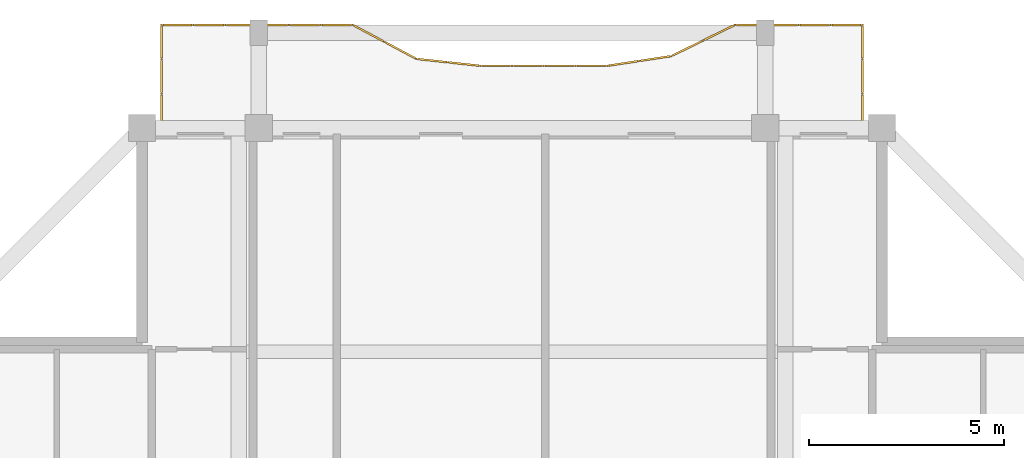
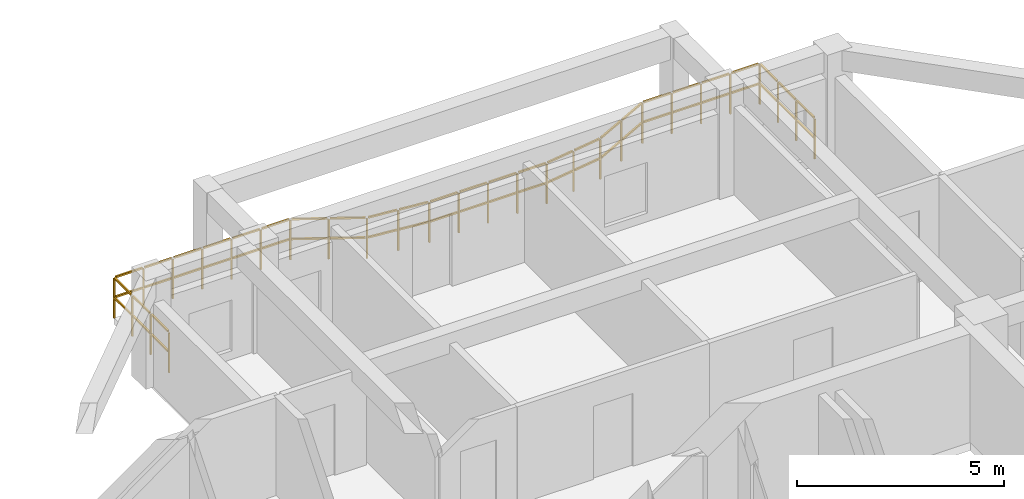
# One storey, part 11 of 11: 1 railing.
"""IFC4 building model written with IfcOpenShell, lengths in metres."""

from ifc_helpers import new_model, si_unit, direction, frame, origin, origin_2d, place, context, subcontext, project, spatial, rectangle, extrude, material, type_object, element, save


model = new_model("IFC4")

# Units and contexts
model_context = context("Model", 3, precision=1e-05, world=origin(), true_north=direction((0.0, 1.0)))
body_context = subcontext(model_context, "Body", "Model", "MODEL_VIEW")
ifc_project = project(units=[si_unit("LENGTHUNIT", "METRE"), si_unit("AREAUNIT", "SQUARE_METRE"), si_unit("VOLUMEUNIT", "CUBIC_METRE"), si_unit("PLANEANGLEUNIT", "RADIAN"), si_unit("MASSUNIT", "GRAM", prefix="KILO")], contexts=[model_context])

# Site, building, storey
site_placement = place(None, origin())
site = spatial("IfcSite", under=ifc_project, at=site_placement, CompositionType="ELEMENT")
building_placement = place(site_placement, origin())
building = spatial("IfcBuilding", under=site, at=building_placement, Name="Saelheon Loggia Tower", CompositionType="ELEMENT")
storey_placement = place(building_placement, frame((0.0, 0.0, 249.0)))
storey = spatial("IfcBuildingStorey", under=building, at=storey_placement, Name="L77", CompositionType="ELEMENT", Elevation=249.0)

# Railing
ifc_material = material(Name="Architectural Precast Concrete and Laminated Glass Guard", Category="concrete")
railing_type = type_object("IfcRailingType", Name="Guard_Loggia_RL_LOG", PredefinedType="BALUSTRADE", material=ifc_material)
railing_placement = place(storey_placement, frame((47.0, 48.0, 0.0)))
element("IfcRailing", 1, at=railing_placement, inside=storey, type_object=railing_type, Name="L77 North Loggia Balustrade", PredefinedType="BALUSTRADE", context=body_context, shape_type="SweptSolid", body=[
    extrude(rectangle(XDim=0.048095703125, YDim=0.048095703125, at=origin_2d()), frame((0.0, 0.033203125, 1.19580078125), z_axis=(0.0, 1.0, 0.0), x_axis=(-1.0, 0.0, 0.0)), (0.0, 0.0, 1.0), 0.81689453125),
    extrude(rectangle(XDim=0.048095703125, YDim=0.048095703125, at=origin_2d()), frame((0.0, 0.033203125, 0.60986328125), z_axis=(0.0, 1.0, 0.0), x_axis=(-1.0, 0.0, 0.0)), (0.0, 0.0, 1.0), 0.81689453125),
    extrude(rectangle(XDim=0.048095703125, YDim=0.048095703125, at=origin_2d()), frame((0.0, 0.91650390625, 1.19580078125), z_axis=(0.0, 1.0, 0.0), x_axis=(-1.0, 0.0, 0.0)), (0.0, 0.0, 1.0), 0.81689453125),
    extrude(rectangle(XDim=0.048095703125, YDim=0.048095703125, at=origin_2d()), frame((0.0, 0.91650390625, 0.60986328125), z_axis=(0.0, 1.0, 0.0), x_axis=(-1.0, 0.0, 0.0)), (0.0, 0.0, 1.0), 0.81689453125),
    extrude(rectangle(XDim=0.048095703125, YDim=0.048095703125, at=origin_2d()), frame((0.0, 1.7998046875, 1.19580078125), z_axis=(0.0, 1.0, 0.0), x_axis=(-1.0, 0.0, 0.0)), (0.0, 0.0, 1.0), 0.81689453125),
    extrude(rectangle(XDim=0.048095703125, YDim=0.048095703125, at=origin_2d()), frame((0.0, 1.7998046875, 0.60986328125), z_axis=(0.0, 1.0, 0.0), x_axis=(-1.0, 0.0, 0.0)), (0.0, 0.0, 1.0), 0.81689453125),
    extrude(rectangle(XDim=0.048095703125, YDim=0.048095703125, at=origin_2d()), frame((-0.033203125, 2.64990234375, 1.19580078125), z_axis=(-1.0, 0.0, 0.0), x_axis=(0.0, -1.0, 0.0)), (0.0, 0.0, 1.0), 0.751708984375),
    extrude(rectangle(XDim=0.048095703125, YDim=0.048095703125, at=origin_2d()), frame((-0.033203125, 2.64990234375, 0.60986328125), z_axis=(-1.0, 0.0, 0.0), x_axis=(0.0, -1.0, 0.0)), (0.0, 0.0, 1.0), 0.751708984375),
    extrude(rectangle(XDim=0.048095703125, YDim=0.048095703125, at=origin_2d()), frame((-0.8515625, 2.64990234375, 1.19580078125), z_axis=(-1.0, 0.0, 0.0), x_axis=(0.0, -1.0, 0.0)), (0.0, 0.0, 1.0), 0.751708984375),
    extrude(rectangle(XDim=0.048095703125, YDim=0.048095703125, at=origin_2d()), frame((-0.8515625, 2.64990234375, 0.60986328125), z_axis=(-1.0, 0.0, 0.0), x_axis=(0.0, -1.0, 0.0)), (0.0, 0.0, 1.0), 0.751708984375),
    extrude(rectangle(XDim=0.048095703125, YDim=0.048095703125, at=origin_2d()), frame((-1.669677734375, 2.64990234375, 1.19580078125), z_axis=(-1.0, 0.0, 0.0), x_axis=(0.0, -1.0, 0.0)), (0.0, 0.0, 1.0), 0.751708984375),
    extrude(rectangle(XDim=0.048095703125, YDim=0.048095703125, at=origin_2d()), frame((-1.669677734375, 2.64990234375, 0.60986328125), z_axis=(-1.0, 0.0, 0.0), x_axis=(0.0, -1.0, 0.0)), (0.0, 0.0, 1.0), 0.751708984375),
    extrude(rectangle(XDim=0.048095703125, YDim=0.048095703125, at=origin_2d()), frame((-2.48779296875, 2.64990234375, 1.19580078125), z_axis=(-1.0, 0.0, 0.0), x_axis=(0.0, -1.0, 0.0)), (0.0, 0.0, 1.0), 0.751708984375),
    extrude(rectangle(XDim=0.048095703125, YDim=0.048095703125, at=origin_2d()), frame((-2.48779296875, 2.64990234375, 0.60986328125), z_axis=(-1.0, 0.0, 0.0), x_axis=(0.0, -1.0, 0.0)), (0.0, 0.0, 1.0), 0.751708984375),
    extrude(rectangle(XDim=0.048095703125, YDim=0.048095703125, at=origin_2d()), frame((-3.302490234375, 2.63525390625, 1.19580078125), z_axis=(-0.898121030069, -0.439748354571, 0.0), x_axis=(0.439748354571, -0.898121030069, 0.0)), (0.0, 0.0, 1.0), 0.844482421875),
    extrude(rectangle(XDim=0.048095703125, YDim=0.048095703125, at=origin_2d()), frame((-3.302490234375, 2.63525390625, 0.60986328125), z_axis=(-0.898121030069, -0.439748354571, 0.0), x_axis=(0.439748354571, -0.898121030069, 0.0)), (0.0, 0.0, 1.0), 0.844482421875),
    extrude(rectangle(XDim=0.048095703125, YDim=0.048095703125, at=origin_2d()), frame((-4.120849609375, 2.234619140625, 1.19580078125), z_axis=(-0.898121030069, -0.439748354571, 0.0), x_axis=(0.439748354571, -0.898121030069, 0.0)), (0.0, 0.0, 1.0), 0.844482421875),
    extrude(rectangle(XDim=0.048095703125, YDim=0.048095703125, at=origin_2d()), frame((-4.120849609375, 2.234619140625, 0.60986328125), z_axis=(-0.898121030069, -0.439748354571, 0.0), x_axis=(0.439748354571, -0.898121030069, 0.0)), (0.0, 0.0, 1.0), 0.844482421875),
    extrude(rectangle(XDim=0.048095703125, YDim=0.048095703125, at=origin_2d()), frame((-4.942138671875, 1.84375, 1.19580078125), z_axis=(-0.988659819213, -0.150172440459, 0.0), x_axis=(0.150172440459, -0.988659819213, 0.0)), (0.0, 0.0, 1.0), 0.760986328125),
    extrude(rectangle(XDim=0.048095703125, YDim=0.048095703125, at=origin_2d()), frame((-4.942138671875, 1.84375, 0.60986328125), z_axis=(-0.988659819213, -0.150172440459, 0.0), x_axis=(0.150172440459, -0.988659819213, 0.0)), (0.0, 0.0, 1.0), 0.760986328125),
    extrude(rectangle(XDim=0.048095703125, YDim=0.048095703125, at=origin_2d()), frame((-5.76025390625, 1.719482421875, 1.19580078125), z_axis=(-0.988659819213, -0.150172440459, 0.0), x_axis=(0.150172440459, -0.988659819213, 0.0)), (0.0, 0.0, 1.0), 0.760986328125),
    extrude(rectangle(XDim=0.048095703125, YDim=0.048095703125, at=origin_2d()), frame((-5.76025390625, 1.719482421875, 0.60986328125), z_axis=(-0.988659819213, -0.150172440459, 0.0), x_axis=(0.150172440459, -0.988659819213, 0.0)), (0.0, 0.0, 1.0), 0.760986328125),
    extrude(rectangle(XDim=0.048095703125, YDim=0.048095703125, at=origin_2d()), frame((-6.57861328125, 1.60009765625, 1.19580078125), z_axis=(-1.0, 0.0, 0.0), x_axis=(0.0, -1.0, 0.0)), (0.0, 0.0, 1.0), 0.751708984375),
    extrude(rectangle(XDim=0.048095703125, YDim=0.048095703125, at=origin_2d()), frame((-6.57861328125, 1.60009765625, 0.60986328125), z_axis=(-1.0, 0.0, 0.0), x_axis=(0.0, -1.0, 0.0)), (0.0, 0.0, 1.0), 0.751708984375),
    extrude(rectangle(XDim=0.048095703125, YDim=0.048095703125, at=origin_2d()), frame((-7.39697265625, 1.60009765625, 1.19580078125), z_axis=(-1.0, 0.0, 0.0), x_axis=(0.0, -1.0, 0.0)), (0.0, 0.0, 1.0), 0.751708984375),
    extrude(rectangle(XDim=0.048095703125, YDim=0.048095703125, at=origin_2d()), frame((-7.39697265625, 1.60009765625, 0.60986328125), z_axis=(-1.0, 0.0, 0.0), x_axis=(0.0, -1.0, 0.0)), (0.0, 0.0, 1.0), 0.751708984375),
    extrude(rectangle(XDim=0.048095703125, YDim=0.048095703125, at=origin_2d()), frame((-8.215087890625, 1.60009765625, 1.19580078125), z_axis=(-1.0, 0.0, 0.0), x_axis=(0.0, -1.0, 0.0)), (0.0, 0.0, 1.0), 0.751708984375),
    extrude(rectangle(XDim=0.048095703125, YDim=0.048095703125, at=origin_2d()), frame((-8.215087890625, 1.60009765625, 0.60986328125), z_axis=(-1.0, 0.0, 0.0), x_axis=(0.0, -1.0, 0.0)), (0.0, 0.0, 1.0), 0.751708984375),
    extrude(rectangle(XDim=0.048095703125, YDim=0.048095703125, at=origin_2d()), frame((-9.033203125, 1.60009765625, 1.19580078125), z_axis=(-1.0, 0.0, 0.0), x_axis=(0.0, -1.0, 0.0)), (0.0, 0.0, 1.0), 0.751708984375),
    extrude(rectangle(XDim=0.048095703125, YDim=0.048095703125, at=origin_2d()), frame((-9.033203125, 1.60009765625, 0.60986328125), z_axis=(-1.0, 0.0, 0.0), x_axis=(0.0, -1.0, 0.0)), (0.0, 0.0, 1.0), 0.751708984375),
    extrude(rectangle(XDim=0.048095703125, YDim=0.048095703125, at=origin_2d()), frame((-9.85107421875, 1.603759765625, 1.19580078125), z_axis=(-0.994217323975, 0.107386743631, 0.0), x_axis=(-0.107386743631, -0.994217323975, 0.0)), (0.0, 0.0, 1.0), 0.756591796875),
    extrude(rectangle(XDim=0.048095703125, YDim=0.048095703125, at=origin_2d()), frame((-9.85107421875, 1.603759765625, 0.60986328125), z_axis=(-0.994217323975, 0.107386743631, 0.0), x_axis=(-0.107386743631, -0.994217323975, 0.0)), (0.0, 0.0, 1.0), 0.756591796875),
    extrude(rectangle(XDim=0.048095703125, YDim=0.048095703125, at=origin_2d()), frame((-10.66943359375, 1.692138671875, 1.19580078125), z_axis=(-0.994217323975, 0.107386743631, 0.0), x_axis=(-0.107386743631, -0.994217323975, 0.0)), (0.0, 0.0, 1.0), 0.756591796875),
    extrude(rectangle(XDim=0.048095703125, YDim=0.048095703125, at=origin_2d()), frame((-10.66943359375, 1.692138671875, 0.60986328125), z_axis=(-0.994217323975, 0.107386743631, 0.0), x_axis=(-0.107386743631, -0.994217323975, 0.0)), (0.0, 0.0, 1.0), 0.756591796875),
    extrude(rectangle(XDim=0.048095703125, YDim=0.048095703125, at=origin_2d()), frame((-11.48388671875, 1.79248046875, 1.19580078125), z_axis=(-0.882374807368, 0.47054723389, 0.0), x_axis=(-0.47054723389, -0.882374807368, 0.0)), (0.0, 0.0, 1.0), 0.860595703125),
    extrude(rectangle(XDim=0.048095703125, YDim=0.048095703125, at=origin_2d()), frame((-11.48388671875, 1.79248046875, 0.60986328125), z_axis=(-0.882374807368, 0.47054723389, 0.0), x_axis=(-0.47054723389, -0.882374807368, 0.0)), (0.0, 0.0, 1.0), 0.860595703125),
    extrude(rectangle(XDim=0.048095703125, YDim=0.048095703125, at=origin_2d()), frame((-12.302001953125, 2.228759765625, 1.19580078125), z_axis=(-0.882374807368, 0.47054723389, 0.0), x_axis=(-0.47054723389, -0.882374807368, 0.0)), (0.0, 0.0, 1.0), 0.860595703125),
    extrude(rectangle(XDim=0.048095703125, YDim=0.048095703125, at=origin_2d()), frame((-12.302001953125, 2.228759765625, 0.60986328125), z_axis=(-0.882374807368, 0.47054723389, 0.0), x_axis=(-0.47054723389, -0.882374807368, 0.0)), (0.0, 0.0, 1.0), 0.860595703125),
    extrude(rectangle(XDim=0.048095703125, YDim=0.048095703125, at=origin_2d()), frame((-13.1240234375, 2.6494140625, 1.19580078125), z_axis=(-0.999999955487, 0.000298373849, 0.0), x_axis=(-0.000298373849, -0.999999955487, 0.0)), (0.0, 0.0, 1.0), 0.751708984375),
    extrude(rectangle(XDim=0.048095703125, YDim=0.048095703125, at=origin_2d()), frame((-13.1240234375, 2.6494140625, 0.60986328125), z_axis=(-0.999999955487, 0.000298373849, 0.0), x_axis=(-0.000298373849, -0.999999955487, 0.0)), (0.0, 0.0, 1.0), 0.751708984375),
    extrude(rectangle(XDim=0.048095703125, YDim=0.048095703125, at=origin_2d()), frame((-13.9423828125, 2.649658203125, 1.19580078125), z_axis=(-0.999999955487, 0.000298373849, 0.0), x_axis=(-0.000298373849, -0.999999955487, 0.0)), (0.0, 0.0, 1.0), 0.751708984375),
    extrude(rectangle(XDim=0.048095703125, YDim=0.048095703125, at=origin_2d()), frame((-13.9423828125, 2.649658203125, 0.60986328125), z_axis=(-0.999999955487, 0.000298373849, 0.0), x_axis=(-0.000298373849, -0.999999955487, 0.0)), (0.0, 0.0, 1.0), 0.751708984375),
    extrude(rectangle(XDim=0.048095703125, YDim=0.048095703125, at=origin_2d()), frame((-14.760498046875, 2.64990234375, 1.19580078125), z_axis=(-1.0, 0.0, 0.0), x_axis=(0.0, -1.0, 0.0)), (0.0, 0.0, 1.0), 0.751708984375),
    extrude(rectangle(XDim=0.048095703125, YDim=0.048095703125, at=origin_2d()), frame((-14.760498046875, 2.64990234375, 0.60986328125), z_axis=(-1.0, 0.0, 0.0), x_axis=(0.0, -1.0, 0.0)), (0.0, 0.0, 1.0), 0.751708984375),
    extrude(rectangle(XDim=0.048095703125, YDim=0.048095703125, at=origin_2d()), frame((-15.57861328125, 2.64990234375, 1.19580078125), z_axis=(-1.0, 0.0, 0.0), x_axis=(0.0, -1.0, 0.0)), (0.0, 0.0, 1.0), 0.751708984375),
    extrude(rectangle(XDim=0.048095703125, YDim=0.048095703125, at=origin_2d()), frame((-15.57861328125, 2.64990234375, 0.60986328125), z_axis=(-1.0, 0.0, 0.0), x_axis=(0.0, -1.0, 0.0)), (0.0, 0.0, 1.0), 0.751708984375),
    extrude(rectangle(XDim=0.048095703125, YDim=0.048095703125, at=origin_2d()), frame((-16.396728515625, 2.64990234375, 1.19580078125), z_axis=(-1.0, 0.0, 0.0), x_axis=(0.0, -1.0, 0.0)), (0.0, 0.0, 1.0), 0.751708984375),
    extrude(rectangle(XDim=0.048095703125, YDim=0.048095703125, at=origin_2d()), frame((-16.396728515625, 2.64990234375, 0.60986328125), z_axis=(-1.0, 0.0, 0.0), x_axis=(0.0, -1.0, 0.0)), (0.0, 0.0, 1.0), 0.751708984375),
    extrude(rectangle(XDim=0.048095703125, YDim=0.048095703125, at=origin_2d()), frame((-17.215087890625, 2.64990234375, 1.19580078125), z_axis=(-1.0, 0.0, 0.0), x_axis=(0.0, -1.0, 0.0)), (0.0, 0.0, 1.0), 0.751708984375),
    extrude(rectangle(XDim=0.048095703125, YDim=0.048095703125, at=origin_2d()), frame((-17.215087890625, 2.64990234375, 0.60986328125), z_axis=(-1.0, 0.0, 0.0), x_axis=(0.0, -1.0, 0.0)), (0.0, 0.0, 1.0), 0.751708984375),
    extrude(rectangle(XDim=0.048095703125, YDim=0.048095703125, at=origin_2d()), frame((-18.0, 2.61669921875, 1.19580078125), z_axis=(0.0, -1.0, 0.0), x_axis=(1.0, 0.0, 0.0)), (0.0, 0.0, 1.0), 0.81689453125),
    extrude(rectangle(XDim=0.048095703125, YDim=0.048095703125, at=origin_2d()), frame((-18.0, 2.61669921875, 0.60986328125), z_axis=(0.0, -1.0, 0.0), x_axis=(1.0, 0.0, 0.0)), (0.0, 0.0, 1.0), 0.81689453125),
    extrude(rectangle(XDim=0.048095703125, YDim=0.048095703125, at=origin_2d()), frame((-18.0, 1.7333984375, 1.19580078125), z_axis=(0.0, -1.0, 0.0), x_axis=(1.0, 0.0, 0.0)), (0.0, 0.0, 1.0), 0.81689453125),
    extrude(rectangle(XDim=0.048095703125, YDim=0.048095703125, at=origin_2d()), frame((-18.0, 1.7333984375, 0.60986328125), z_axis=(0.0, -1.0, 0.0), x_axis=(1.0, 0.0, 0.0)), (0.0, 0.0, 1.0), 0.81689453125),
    extrude(rectangle(XDim=0.048095703125, YDim=0.048095703125, at=origin_2d()), frame((-18.0, 0.85009765625, 1.19580078125), z_axis=(0.0, -1.0, 0.0), x_axis=(1.0, 0.0, 0.0)), (0.0, 0.0, 1.0), 0.81689453125),
    extrude(rectangle(XDim=0.048095703125, YDim=0.048095703125, at=origin_2d()), frame((-18.0, 0.85009765625, 0.60986328125), z_axis=(0.0, -1.0, 0.0), x_axis=(1.0, 0.0, 0.0)), (0.0, 0.0, 1.0), 0.81689453125),
    extrude(rectangle(XDim=0.0419921875, YDim=0.0419921875, at=origin_2d()), origin(), (0.0, 0.0, 1.0), 1.16796875),
    extrude(rectangle(XDim=0.0419921875, YDim=0.0419921875, at=origin_2d()), frame((0.0, 0.88330078125, 0.0)), (0.0, 0.0, 1.0), 1.16796875),
    extrude(rectangle(XDim=0.0419921875, YDim=0.0419921875, at=origin_2d()), frame((0.0, 1.7666015625, 0.0)), (0.0, 0.0, 1.0), 1.16796875),
    extrude(rectangle(XDim=0.0419921875, YDim=0.0419921875, at=origin_2d()), frame((0.0, 2.64990234375, 0.0)), (0.0, 0.0, 1.0), 1.16796875),
    extrude(rectangle(XDim=0.0419921875, YDim=0.0419921875, at=origin_2d()), frame((-0.818359375, 2.64990234375, 0.0)), (0.0, 0.0, 1.0), 1.16796875),
    extrude(rectangle(XDim=0.0419921875, YDim=0.0419921875, at=origin_2d()), frame((-1.636474609375, 2.64990234375, 0.0)), (0.0, 0.0, 1.0), 1.16796875),
    extrude(rectangle(XDim=0.0419921875, YDim=0.0419921875, at=origin_2d()), frame((-2.45458984375, 2.64990234375, 0.0)), (0.0, 0.0, 1.0), 1.16796875),
    extrude(rectangle(XDim=0.0419921875, YDim=0.0419921875, at=origin_2d()), frame((-3.272705078125, 2.64990234375, 0.0)), (0.0, 0.0, 1.0), 1.16796875),
    extrude(rectangle(XDim=0.0419921875, YDim=0.0419921875, at=origin_2d()), frame((-4.0908203125, 2.249267578125, 0.0)), (0.0, 0.0, 1.0), 1.16796875),
    extrude(rectangle(XDim=0.0419921875, YDim=0.0419921875, at=origin_2d()), frame((-4.9091796875, 1.8486328125, 0.0)), (0.0, 0.0, 1.0), 1.16796875),
    extrude(rectangle(XDim=0.0419921875, YDim=0.0419921875, at=origin_2d()), frame((-5.727294921875, 1.724365234375, 0.0)), (0.0, 0.0, 1.0), 1.16796875),
    extrude(rectangle(XDim=0.0419921875, YDim=0.0419921875, at=origin_2d()), frame((-6.54541015625, 1.60009765625, 0.0)), (0.0, 0.0, 1.0), 1.16796875),
    extrude(rectangle(XDim=0.0419921875, YDim=0.0419921875, at=origin_2d()), frame((-7.36376953125, 1.60009765625, 0.0)), (0.0, 0.0, 1.0), 1.16796875),
    extrude(rectangle(XDim=0.0419921875, YDim=0.0419921875, at=origin_2d()), frame((-8.181884765625, 1.60009765625, 0.0)), (0.0, 0.0, 1.0), 1.16796875),
    extrude(rectangle(XDim=0.0419921875, YDim=0.0419921875, at=origin_2d()), frame((-9.0, 1.60009765625, 0.0)), (0.0, 0.0, 1.0), 1.16796875),
    extrude(rectangle(XDim=0.0419921875, YDim=0.0419921875, at=origin_2d()), frame((-9.818115234375, 1.60009765625, 0.0)), (0.0, 0.0, 1.0), 1.16796875),
    extrude(rectangle(XDim=0.0419921875, YDim=0.0419921875, at=origin_2d()), frame((-10.63623046875, 1.6884765625, 0.0)), (0.0, 0.0, 1.0), 1.16796875),
    extrude(rectangle(XDim=0.0419921875, YDim=0.0419921875, at=origin_2d()), frame((-11.45458984375, 1.77685546875, 0.0)), (0.0, 0.0, 1.0), 1.16796875),
    extrude(rectangle(XDim=0.0419921875, YDim=0.0419921875, at=origin_2d()), frame((-12.272705078125, 2.213134765625, 0.0)), (0.0, 0.0, 1.0), 1.16796875),
    extrude(rectangle(XDim=0.0419921875, YDim=0.0419921875, at=origin_2d()), frame((-13.0908203125, 2.6494140625, 0.0)), (0.0, 0.0, 1.0), 1.16796875),
    extrude(rectangle(XDim=0.0419921875, YDim=0.0419921875, at=origin_2d()), frame((-13.9091796875, 2.649658203125, 0.0)), (0.0, 0.0, 1.0), 1.16796875),
    extrude(rectangle(XDim=0.0419921875, YDim=0.0419921875, at=origin_2d()), frame((-14.727294921875, 2.64990234375, 0.0)), (0.0, 0.0, 1.0), 1.16796875),
    extrude(rectangle(XDim=0.0419921875, YDim=0.0419921875, at=origin_2d()), frame((-15.54541015625, 2.64990234375, 0.0)), (0.0, 0.0, 1.0), 1.16796875),
    extrude(rectangle(XDim=0.0419921875, YDim=0.0419921875, at=origin_2d()), frame((-16.363525390625, 2.64990234375, 0.0)), (0.0, 0.0, 1.0), 1.16796875),
    extrude(rectangle(XDim=0.0419921875, YDim=0.0419921875, at=origin_2d()), frame((-17.181640625, 2.64990234375, 0.0)), (0.0, 0.0, 1.0), 1.16796875),
    extrude(rectangle(XDim=0.0419921875, YDim=0.0419921875, at=origin_2d()), frame((-18.0, 2.64990234375, 0.0)), (0.0, 0.0, 1.0), 1.16796875),
    extrude(rectangle(XDim=0.0419921875, YDim=0.0419921875, at=origin_2d()), frame((-18.0, 1.7666015625, 0.0)), (0.0, 0.0, 1.0), 1.16796875),
    extrude(rectangle(XDim=0.0419921875, YDim=0.0419921875, at=origin_2d()), frame((-18.0, 0.88330078125, 0.0)), (0.0, 0.0, 1.0), 1.16796875),
    extrude(rectangle(XDim=0.0419921875, YDim=0.0419921875, at=origin_2d()), frame((-18.0, 0.0, 0.0)), (0.0, 0.0, 1.0), 1.16796875),
])

save(model, "model.ifc")
